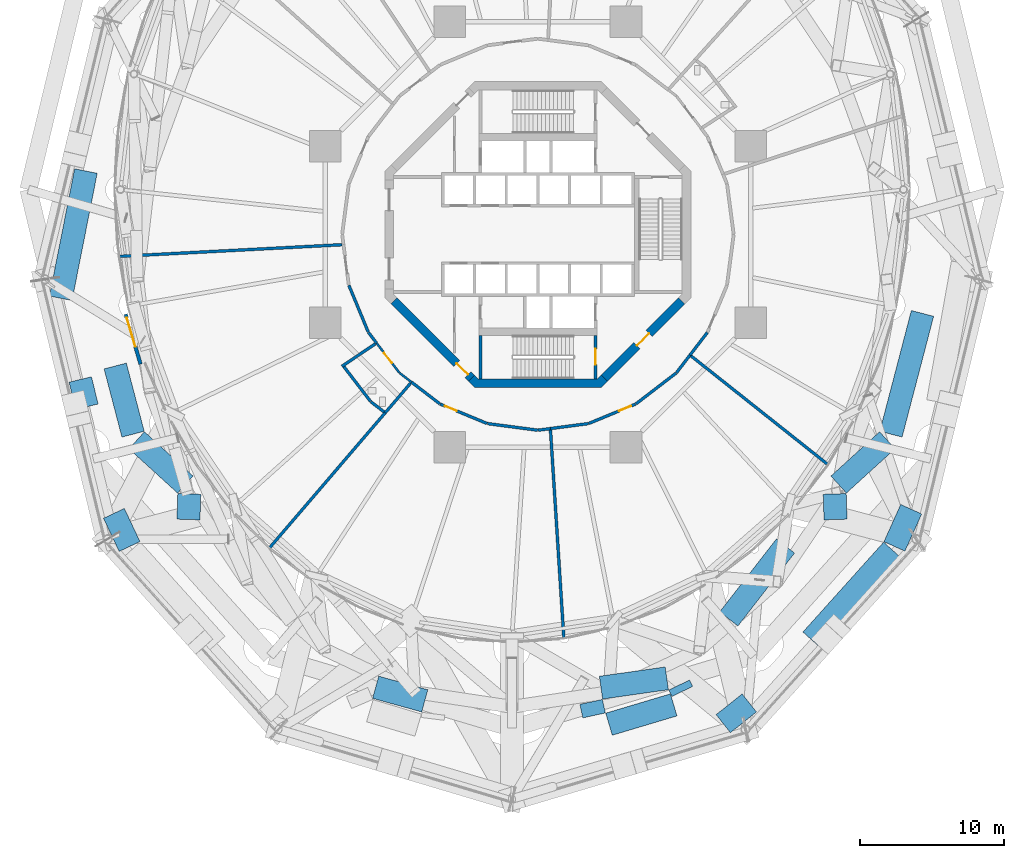
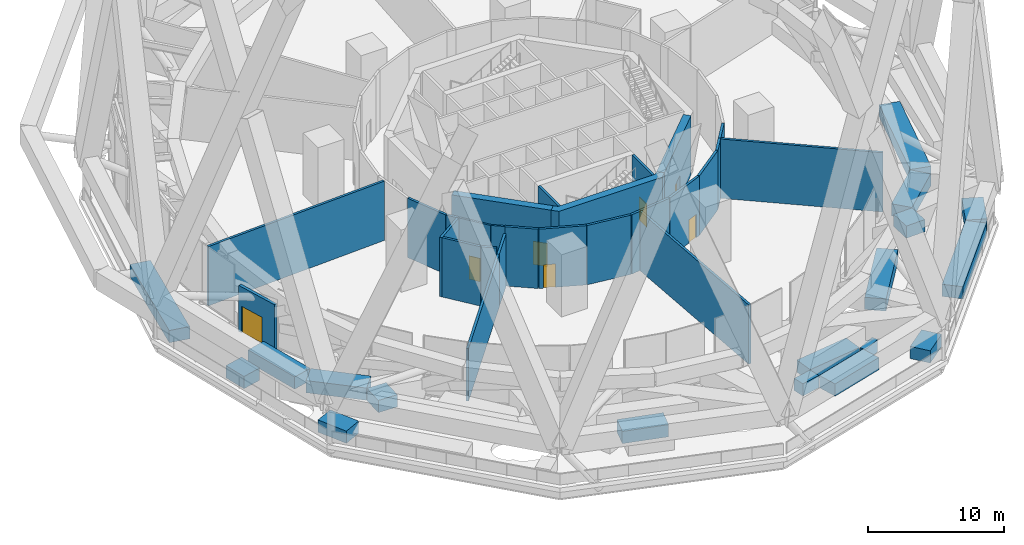
# One storey, part 53 of 65: 45 walls, 7 doors, 7 openings.
"""IFC4 building model written with IfcOpenShell, lengths in metres."""

from ifc_helpers import new_model, si_unit, direction, frame, frame_2d, origin, place, context, subcontext, project, spatial, polyline, rectangle, outline, extrude, material, layer, layer_set, type_object, element, fill, save


model = new_model("IFC4")

# Units and contexts
model_context = context("Model", 3, precision=1e-05, world=origin(), true_north=direction((0.0, 1.0)))
body_context = subcontext(model_context, "Body", "Model", "MODEL_VIEW")
ifc_project = project(units=[si_unit("LENGTHUNIT", "METRE"), si_unit("AREAUNIT", "SQUARE_METRE"), si_unit("VOLUMEUNIT", "CUBIC_METRE"), si_unit("PLANEANGLEUNIT", "RADIAN"), si_unit("MASSUNIT", "GRAM", prefix="KILO")], contexts=[model_context])

# Site, building, storey
site_placement = place(None, origin())
site = spatial("IfcSite", under=ifc_project, at=site_placement, CompositionType="ELEMENT")
building_placement = place(site_placement, origin())
building = spatial("IfcBuilding", under=site, at=building_placement, Name="Nagisa Residences", CompositionType="ELEMENT")
storey_placement = place(building_placement, frame((0.0, 0.0, 114.0)))
storey = spatial("IfcBuildingStorey", under=building, at=storey_placement, Name="L28", CompositionType="ELEMENT", Elevation=114.0)

# Wall, opening, door
ifc_material_1 = material(Name="Precast concrete C40/50", Category="concrete")
ifc_layer_1 = layer(ifc_material_1, 0.25)
ifc_layer_set_1 = layer_set([ifc_layer_1], Name="BALCONY DOOR WALL 250")
wall_type_1 = type_object("IfcWallType", Name="BALCONY DOOR WALL 250", PredefinedType="SOLIDWALL", material=ifc_layer_set_1)
wall_1_placement = place(storey_placement, frame((-27.6025390625, -9.0068359375, 0.0), z_axis=(0.0, 0.0, 1.0), x_axis=(-0.285808378069, 0.95828678955, 0.0)))
wall_1 = element("IfcWall", 1, at=wall_1_placement, inside=storey, type_object=wall_type_1, Name="wall:L28:bay26", PredefinedType="SOLIDWALL", context=body_context, shape_type="SweptSolid", body=[
    extrude(rectangle(XDim=3.62353515625, YDim=0.25, at=frame_2d((1.811767578125, 0.0))), origin(), (0.0, 0.0, 1.0), 4.139892578125),
])
opening_1_placement = place(wall_1_placement, frame((1.26171875, 0.0, 0.0)))
opening_1 = element("IfcOpeningElement", 2, at=opening_1_placement, cuts=wall_1, Name="Opening BD-L28-01", PredefinedType="OPENING", context=body_context, shape_type="SweptSolid", body=[
    extrude(rectangle(XDim=2.10009765625, YDim=2.39990234375, at=frame_2d((1.050048828125, 1.199951171875))), frame((0.0, 0.135009765625, 0.0), z_axis=(0.0, -1.0, 0.0), x_axis=(1.0, 0.0, 0.0)), (0.0, 0.0, 1.0), 0.27001953125),
])
ifc_material_2 = material(Name="Aluminium and clear glass", Category="aluminium")
door_type_1 = type_object("IfcDoorType", Name="BALCONY SLIDING DOOR 2100x2400", OperationType="SLIDING_TO_LEFT", PredefinedType="DOOR", material=ifc_material_2)
door_1_placement = place(opening_1_placement, origin())
door_1 = element("IfcDoor", 3, at=door_1_placement, inside=storey, type_object=door_type_1, Name="door:L28:bay26", OperationType="SLIDING_TO_LEFT", OverallHeight=2.39990234375, OverallWidth=2.10009765625, PredefinedType="DOOR", context=body_context, shape_type="SweptSolid", body=[
    extrude(rectangle(XDim=2.10009765625, YDim=2.39990234375, at=frame_2d((1.050048828125, 1.199951171875))), frame((0.0, 0.02490234375, 0.0), z_axis=(0.0, -1.0, 0.0), x_axis=(1.0, 0.0, 0.0)), (0.0, 0.0, 1.0), 0.050048828125),
])
fill(opening_1, door_1)

ifc_material_3 = material(Name="Concrete C60", Category="concrete")
ifc_layer_2 = layer(ifc_material_3, 0.60009765625)
ifc_layer_set_2 = layer_set([ifc_layer_2], Name="Core shear wall 600")
wall_type_2 = type_object("IfcWallType", Name="Core shear wall 600", PredefinedType="SHEAR", material=ifc_layer_set_2)
wall_2_placement = place(storey_placement, frame((-9.98828125, -4.613037109375, 0.0), z_axis=(0.0, 0.0, 1.0), x_axis=(0.707106781187, -0.707106781187, 0.0)))
wall_2 = element("IfcWall", 4, at=wall_2_placement, inside=storey, type_object=wall_type_2, Name="wall:L28:core:flat5", PredefinedType="SHEAR", context=body_context, shape_type="SweptSolid", body=[
    extrude(rectangle(XDim=7.601806640625, YDim=0.60009765625, at=frame_2d((3.80078125, 0.0))), origin(), (0.0, 0.0, 1.0), 5.340087890625),
])
opening_2_placement = place(wall_2_placement, frame((6.15087890625, 0.0, 0.0)))
opening_2 = element("IfcOpeningElement", 5, at=opening_2_placement, cuts=wall_2, Name="Opening L28-C20", PredefinedType="OPENING", context=body_context, shape_type="SweptSolid", body=[
    extrude(rectangle(XDim=1.10009765625, YDim=2.10009765625, at=frame_2d((0.550048828125, 1.050048828125))), frame((0.0, 0.31005859375, 0.0), z_axis=(0.0, -1.0, 0.0), x_axis=(1.0, 0.0, 0.0)), (0.0, 0.0, 1.0), 0.6201171875),
])
ifc_material_4 = material(Name="Steel fire door", Category="steel")
door_type_2 = type_object("IfcDoorType", Name="Fire door EI60 1100x2100 single swing", OperationType="NOTDEFINED", PredefinedType="DOOR", material=ifc_material_4)
door_2_placement = place(opening_2_placement, origin())
door_2 = element("IfcDoor", 6, at=door_2_placement, inside=storey, type_object=door_type_2, Name="Housekeeping lobby door L28", OperationType="SINGLE_SWING_RIGHT", OverallHeight=2.10009765625, OverallWidth=1.10009765625, PredefinedType="DOOR", context=body_context, shape_type="SweptSolid", body=[
    extrude(rectangle(XDim=1.10009765625, YDim=2.10009765625, at=frame_2d((0.550048828125, 1.050048828125))), frame((0.0, 0.02490234375, 0.0), z_axis=(0.0, -1.0, 0.0), x_axis=(1.0, 0.0, 0.0)), (0.0, 0.0, 1.0), 0.050048828125),
])
fill(opening_2, door_2)

wall_3_placement = place(storey_placement, frame((4.613037109375, -9.98828125, 0.0), z_axis=(0.0, 0.0, 1.0), x_axis=(0.707106781187, 0.707106781187, 0.0)))
wall_3 = element("IfcWall", 7, at=wall_3_placement, inside=storey, type_object=wall_type_2, Name="wall:L28:core:flat7", PredefinedType="SHEAR", context=body_context, shape_type="SweptSolid", body=[
    extrude(rectangle(XDim=7.601806640625, YDim=0.60009765625, at=frame_2d((3.80078125, 0.0))), origin(), (0.0, 0.0, 1.0), 5.340087890625),
])
opening_3_placement = place(wall_3_placement, frame((3.200927734375, 0.0, 0.0)))
opening_3 = element("IfcOpeningElement", 8, at=opening_3_placement, cuts=wall_3, Name="Opening L28-C16", PredefinedType="OPENING", context=body_context, shape_type="SweptSolid", body=[
    extrude(rectangle(XDim=1.199951171875, YDim=2.10009765625, at=frame_2d((0.60009765625, 1.050048828125))), frame((0.0, 0.31005859375, 0.0), z_axis=(0.0, -1.0, 0.0), x_axis=(1.0, 0.0, 0.0)), (0.0, 0.0, 1.0), 0.6201171875),
])
ifc_material_5 = material(Name="Steel fire door", Category="steel")
door_type_3 = type_object("IfcDoorType", Name="Fire door EI60 1200x2100 single swing", OperationType="NOTDEFINED", PredefinedType="DOOR", material=ifc_material_5)
door_3_placement = place(opening_3_placement, origin())
door_3 = element("IfcDoor", 9, at=door_3_placement, inside=storey, type_object=door_type_3, Name="Firefighting lobby 2 door L28", OperationType="SINGLE_SWING_RIGHT", OverallHeight=2.10009765625, OverallWidth=1.199951171875, PredefinedType="DOOR", context=body_context, shape_type="SweptSolid", body=[
    extrude(rectangle(XDim=1.199951171875, YDim=2.10009765625, at=frame_2d((0.60009765625, 1.050048828125))), frame((0.0, 0.02490234375, 0.0), z_axis=(0.0, -1.0, 0.0), x_axis=(1.0, 0.0, 0.0)), (0.0, 0.0, 1.0), 0.050048828125),
])
fill(opening_3, door_3)

# Walls
wall_4_placement = place(storey_placement, origin())
element("IfcWall", 10, at=wall_4_placement, inside=storey, type_object=wall_type_2, Name="wall:L28:core:flat6", PredefinedType="SHEAR", context=body_context, shape_type="SweptSolid", body=[
    extrude(outline(polyline([(-4.15234375, -10.024658203125), (4.15234375, -10.024658203125), (4.40087890625, -9.776123046875), (4.8251953125, -10.200439453125), (4.40087890625, -10.62451171875), (-4.40087890625, -10.62451171875), (-4.8251953125, -10.200439453125), (-4.40087890625, -9.776123046875), (-4.15234375, -10.024658203125)])), origin(), (0.0, 0.0, 1.0), 5.340087890625),
])
ifc_material_6 = material(Name="Precast concrete C30/37", Category="concrete")
ifc_layer_3 = layer(ifc_material_6, 1.60009765625)
ifc_layer_set_3 = layer_set([ifc_layer_3], Name="PLANTER")
wall_type_3 = type_object("IfcWallType", Name="PLANTER", PredefinedType="SOLIDWALL", material=ifc_layer_set_3)
wall_5_placement = place(storey_placement, frame((-33.147216796875, -4.43212890625, 0.0), z_axis=(0.0, 0.0, 1.0), x_axis=(0.194083848033, 0.980984943785, 0.0)))
element("IfcWall", 11, at=wall_5_placement, inside=storey, type_object=wall_type_3, Name="planter:L28:deck001", PredefinedType="SOLIDWALL", context=body_context, shape_type="SweptSolid", body=[
    extrude(rectangle(XDim=9.01171875, YDim=1.60009765625, at=frame_2d((4.505859375, 0.0))), origin(), (0.0, 0.0, 1.0), 1.10009765625),
])
wall_6_placement = place(storey_placement, frame((-31.33251953125, -11.968505859375, 0.0), z_axis=(0.0, 0.0, 1.0), x_axis=(-0.234064805055, 0.972220997014, 0.0)))
element("IfcWall", 12, at=wall_6_placement, inside=storey, type_object=wall_type_3, Name="planter:L28:deck002", PredefinedType="SOLIDWALL", context=body_context, shape_type="SweptSolid", body=[
    extrude(rectangle(XDim=1.948486328125, YDim=1.60009765625, at=frame_2d((0.97412109375, 0.0))), origin(), (0.0, 0.0, 1.0), 1.10009765625),
])
wall_7_placement = place(storey_placement, frame((-29.36279296875, -9.13720703125, 0.0), z_axis=(0.0, 0.0, 1.0), x_axis=(0.252622817758, -0.967564836044, 0.0)))
element("IfcWall", 13, at=wall_7_placement, inside=storey, type_object=wall_type_3, Name="planter:L28:deck003", PredefinedType="SOLIDWALL", context=body_context, shape_type="SweptSolid", body=[
    extrude(rectangle(XDim=4.89697265625, YDim=1.60009765625, at=frame_2d((2.448486328125, 0.0))), origin(), (0.0, 0.0, 1.0), 1.10009765625),
])
wall_8_placement = place(storey_placement, frame((-28.3662109375, -21.67919921875, 0.0), z_axis=(0.0, 0.0, 1.0), x_axis=(-0.426512189352, 0.904481814264, 0.0)))
element("IfcWall", 14, at=wall_8_placement, inside=storey, type_object=wall_type_3, Name="planter:L28:deck004", PredefinedType="SOLIDWALL", context=body_context, shape_type="SweptSolid", body=[
    extrude(rectangle(XDim=2.5478515625, YDim=1.60009765625, at=frame_2d((1.27392578125, 0.0))), origin(), (0.0, 0.0, 1.0), 1.10009765625),
])
wall_9_placement = place(storey_placement, frame((-27.87060546875, -14.297119140625, 0.0), z_axis=(0.0, 0.0, 1.0), x_axis=(0.739195155337, -0.67349129343, 0.0)))
element("IfcWall", 15, at=wall_9_placement, inside=storey, type_object=wall_type_3, Name="planter:L28:deck005", PredefinedType="SOLIDWALL", context=body_context, shape_type="SweptSolid", body=[
    extrude(rectangle(XDim=4.5703125, YDim=1.60009765625, at=frame_2d((2.28515625, 0.0))), origin(), (0.0, 0.0, 1.0), 1.10009765625),
])
wall_10_placement = place(storey_placement, frame((-24.21728515625, -18.02587890625, 0.0), z_axis=(0.0, 0.0, 1.0), x_axis=(-0.032258988147, -0.999479543404, 0.0)))
element("IfcWall", 16, at=wall_10_placement, inside=storey, type_object=wall_type_3, Name="planter:L28:deck006", PredefinedType="SOLIDWALL", context=body_context, shape_type="SweptSolid", body=[
    extrude(rectangle(XDim=1.778564453125, YDim=1.60009765625, at=frame_2d((0.88916015625, 0.0))), origin(), (0.0, 0.0, 1.0), 1.10009765625),
])
wall_11_placement = place(storey_placement, frame((13.26123046875, -26.70849609375, 0.0), z_axis=(0.0, 0.0, 1.0), x_axis=(0.61355867143, 0.789649135194, 0.0)))
element("IfcWall", 17, at=wall_11_placement, inside=storey, type_object=wall_type_3, Name="planter:L28:deck010", PredefinedType="SOLIDWALL", context=body_context, shape_type="SweptSolid", body=[
    extrude(rectangle(XDim=6.41796875, YDim=1.60009765625, at=frame_2d((3.208984375, 0.0))), origin(), (0.0, 0.0, 1.0), 1.10009765625),
])
wall_12_placement = place(storey_placement, frame((14.685302734375, -32.54443359375, 0.0), z_axis=(0.0, 0.0, 1.0), x_axis=(-0.782463069235, -0.622696993155, 0.0)))
element("IfcWall", 18, at=wall_12_placement, inside=storey, type_object=wall_type_3, Name="planter:L28:deck011", PredefinedType="SOLIDWALL", context=body_context, shape_type="SweptSolid", body=[
    extrude(rectangle(XDim=2.31201171875, YDim=1.60009765625, at=frame_2d((1.156005859375, 0.0))), origin(), (0.0, 0.0, 1.0), 1.10009765625),
])
wall_13_placement = place(storey_placement, frame((20.674560546875, -19.8037109375, 0.0), z_axis=(0.0, 0.0, 1.0), x_axis=(-0.032515399122, 0.999471234614, 0.0)))
element("IfcWall", 19, at=wall_13_placement, inside=storey, type_object=wall_type_3, Name="planter:L28:deck012", PredefinedType="SOLIDWALL", context=body_context, shape_type="SweptSolid", body=[
    extrude(rectangle(XDim=1.779541015625, YDim=1.60009765625, at=frame_2d((0.8896484375, 0.0))), origin(), (0.0, 0.0, 1.0), 1.10009765625),
])
wall_14_placement = place(storey_placement, frame((20.891845703125, -17.374267578125, 0.0), z_axis=(0.0, 0.0, 1.0), x_axis=(0.739352354984, 0.673318717383, 0.0)))
element("IfcWall", 20, at=wall_14_placement, inside=storey, type_object=wall_type_3, Name="planter:L28:deck013", PredefinedType="SOLIDWALL", context=body_context, shape_type="SweptSolid", body=[
    extrude(rectangle(XDim=4.56982421875, YDim=1.60009765625, at=frame_2d((2.284912109375, 0.0))), origin(), (0.0, 0.0, 1.0), 1.10009765625),
])
wall_15_placement = place(storey_placement, frame((24.525634765625, -13.875, 0.0), z_axis=(0.0, 0.0, 1.0), x_axis=(0.25265110585, 0.967557449826, 0.0)))
element("IfcWall", 21, at=wall_15_placement, inside=storey, type_object=wall_type_3, Name="planter:L28:deck014", PredefinedType="SOLIDWALL", context=body_context, shape_type="SweptSolid", body=[
    extrude(rectangle(XDim=8.671630859375, YDim=1.60009765625, at=frame_2d((4.3359375, 0.0))), origin(), (0.0, 0.0, 1.0), 1.10009765625),
])
wall_16_placement = place(storey_placement, frame((24.611083984375, -21.910888671875, 0.0), z_axis=(0.0, 0.0, 1.0), x_axis=(-0.66838736225, -0.743813373088, 0.0)))
element("IfcWall", 22, at=wall_16_placement, inside=storey, type_object=wall_type_3, Name="planter:L28:deck015", PredefinedType="SOLIDWALL", context=body_context, shape_type="SweptSolid", body=[
    extrude(rectangle(XDim=8.389892578125, YDim=1.60009765625, at=frame_2d((4.19482421875, 0.0))), origin(), (0.0, 0.0, 1.0), 1.10009765625),
])
wall_17_placement = place(storey_placement, frame((25.932373046875, -19.088134765625, 0.0), z_axis=(0.0, 0.0, 1.0), x_axis=(-0.411166692317, -0.911560174168, 0.0)))
element("IfcWall", 23, at=wall_17_placement, inside=storey, type_object=wall_type_3, Name="planter:L28:deck016", PredefinedType="SOLIDWALL", context=body_context, shape_type="SweptSolid", body=[
    extrude(rectangle(XDim=2.834716796875, YDim=1.60009765625, at=frame_2d((1.41748046875, 0.0))), origin(), (0.0, 0.0, 1.0), 1.10009765625),
])
wall_18_placement = place(storey_placement, frame((-11.2705078125, -31.455810546875, 0.0), z_axis=(0.0, 0.0, 1.0), x_axis=(0.963771506484, -0.266729232162, 0.0)))
element("IfcWall", 24, at=wall_18_placement, inside=storey, type_object=wall_type_3, Name="planter:L28:deck120", PredefinedType="SOLIDWALL", context=body_context, shape_type="SweptSolid", body=[
    extrude(rectangle(XDim=3.53857421875, YDim=1.60009765625, at=frame_2d((1.769287109375, 0.0))), origin(), (0.0, 0.0, 1.0), 1.10009765625),
])
wall_19_placement = place(storey_placement, frame((3.90478515625, -33.412109375, 0.0), z_axis=(0.0, 0.0, 1.0), x_axis=(-0.214890787801, 0.976638085126, 0.0)))
element("IfcWall", 25, at=wall_19_placement, inside=storey, type_object=wall_type_3, Name="planter:L28:deck123", PredefinedType="SOLIDWALL", context=body_context, shape_type="SweptSolid", body=[
    extrude(rectangle(XDim=0.96337890625, YDim=1.60009765625, at=frame_2d((0.481689453125, 0.0))), origin(), (0.0, 0.0, 1.0), 1.10009765625),
])
wall_20_placement = place(storey_placement, frame((4.3818359375, -31.485107421875, 0.0), z_axis=(0.0, 0.0, 1.0), x_axis=(0.99002335094, 0.140903387444, 0.0)))
element("IfcWall", 26, at=wall_20_placement, inside=storey, type_object=wall_type_3, Name="planter:L28:deck124", PredefinedType="SOLIDWALL", context=body_context, shape_type="SweptSolid", body=[
    extrude(rectangle(XDim=4.619384765625, YDim=1.60009765625, at=frame_2d((2.3095703125, 0.0))), origin(), (0.0, 0.0, 1.0), 1.10009765625),
])
wall_21_placement = place(storey_placement, frame((9.43359375, -32.680419921875, 0.0), z_axis=(0.0, 0.0, 1.0), x_axis=(-0.958314763404, -0.285714567779, 0.0)))
element("IfcWall", 27, at=wall_21_placement, inside=storey, type_object=wall_type_3, Name="planter:L28:deck125", PredefinedType="SOLIDWALL", context=body_context, shape_type="SweptSolid", body=[
    extrude(rectangle(XDim=4.691162109375, YDim=1.60009765625, at=frame_2d((2.345703125, 0.0))), origin(), (0.0, 0.0, 1.0), 1.10009765625),
])
wall_22_placement = place(storey_placement, frame((9.8173828125, -31.29541015625, 0.0), z_axis=(0.0, 0.0, 1.0), x_axis=(0.43301833784, -0.901385111422, 0.0)))
element("IfcWall", 28, at=wall_22_placement, inside=storey, type_object=wall_type_3, Name="planter:L28:deck126", PredefinedType="SOLIDWALL", context=body_context, shape_type="SweptSolid", body=[
    extrude(rectangle(XDim=0.497314453125, YDim=1.60009765625, at=frame_2d((0.24853515625, 0.0))), origin(), (0.0, 0.0, 1.0), 1.10009765625),
])
ifc_material_7 = material(Name="Gypsum board on steel studs", Category="steel")
ifc_layer_4 = layer(ifc_material_7, 0.199951171875)
ifc_layer_set_4 = layer_set([ifc_layer_4], Name="Plant room wall EI120 200")
wall_type_4 = type_object("IfcWallType", Name="Plant room wall EI120 200", PredefinedType="PARTITIONING", material=ifc_layer_set_4)
wall_23_placement = place(storey_placement, frame((-13.6201171875, -9.162841796875, 0.0), z_axis=(0.0, 0.0, 1.0), x_axis=(0.829713316312, 0.558189764089, 0.0)))
element("IfcWall", 29, at=wall_23_placement, inside=storey, type_object=wall_type_4, Name="wall:L28:am005", PredefinedType="PARTITIONING", context=body_context, shape_type="SweptSolid", body=[
    extrude(rectangle(XDim=2.805419921875, YDim=0.199951171875, at=frame_2d((1.40283203125, 0.0))), origin(), (0.0, 0.0, 1.0), 5.340087890625),
])
wall_24_placement = place(storey_placement, frame((-13.60693359375, -0.713134765625, 0.0), z_axis=(0.0, 0.0, 1.0), x_axis=(-0.99862965522, -0.05233365758, 0.0)))
element("IfcWall", 30, at=wall_24_placement, inside=storey, type_object=wall_type_4, Name="wall:L28:am006", PredefinedType="PARTITIONING", context=body_context, shape_type="SweptSolid", body=[
    extrude(rectangle(XDim=15.478759765625, YDim=0.199951171875, at=frame_2d((7.7392578125, 0.0))), origin(), (0.0, 0.0, 1.0), 5.340087890625),
])
wall_25_placement = place(storey_placement, frame((-11.78369140625, -6.785888671875, 0.0), z_axis=(0.0, 0.0, 1.0), x_axis=(-0.382723413813, 0.92386297064, 0.0)))
element("IfcWall", 31, at=wall_25_placement, inside=storey, type_object=wall_type_4, Name="wall:L28:am010", PredefinedType="PARTITIONING", context=body_context, shape_type="SweptSolid", body=[
    extrude(rectangle(XDim=3.52001953125, YDim=0.199951171875, at=frame_2d((1.760009765625, 0.0))), origin(), (0.0, 0.0, 1.0), 5.340087890625),
])
wall_26_placement = place(storey_placement, frame((-11.622802734375, -11.6015625, 0.0), z_axis=(0.0, 0.0, 1.0), x_axis=(-0.608791787862, 0.793330044201, 0.0)))
element("IfcWall", 32, at=wall_26_placement, inside=storey, type_object=wall_type_4, Name="wall:L28:am012", PredefinedType="PARTITIONING", context=body_context, shape_type="SweptSolid", body=[
    extrude(rectangle(XDim=3.044189453125, YDim=0.199951171875, at=frame_2d((1.52197265625, 0.0))), origin(), (0.0, 0.0, 1.0), 5.340087890625),
])
wall_27_placement = place(storey_placement, frame((-11.209228515625, -7.541015625, 0.0), z_axis=(0.0, 0.0, 1.0), x_axis=(-0.608721561765, 0.793383929912, 0.0)))
element("IfcWall", 33, at=wall_27_placement, inside=storey, type_object=wall_type_4, Name="wall:L28:am013", PredefinedType="PARTITIONING", context=body_context, shape_type="SweptSolid", body=[
    extrude(rectangle(XDim=0.9189453125, YDim=0.199951171875, at=frame_2d((0.45947265625, 0.0))), origin(), (0.0, 0.0, 1.0), 5.340087890625),
])
wall_28_placement = place(storey_placement, frame((-10.606689453125, -12.38623046875, 0.0), z_axis=(0.0, 0.0, 1.0), x_axis=(-0.650437966539, -0.75955937996, 0.0)))
element("IfcWall", 34, at=wall_28_placement, inside=storey, type_object=wall_type_4, Name="wall:L28:am014", PredefinedType="PARTITIONING", context=body_context, shape_type="SweptSolid", body=[
    extrude(rectangle(XDim=12.347900390625, YDim=0.199951171875, at=frame_2d((6.173828125, 0.0))), origin(), (0.0, 0.0, 1.0), 4.72802734375),
])
wall_29_placement = place(storey_placement, frame((-10.68603515625, -12.325439453125, 0.0), z_axis=(0.0, 0.0, 1.0), x_axis=(-0.793299821517, 0.608831169687, 0.0)))
element("IfcWall", 35, at=wall_29_placement, inside=storey, type_object=wall_type_4, Name="wall:L28:am015", PredefinedType="PARTITIONING", context=body_context, shape_type="SweptSolid", body=[
    extrude(rectangle(XDim=1.154052734375, YDim=0.199951171875, at=frame_2d((0.5771484375, 0.0))), origin(), (0.0, 0.0, 1.0), 5.340087890625),
])
wall_30_placement = place(storey_placement, frame((-8.84814453125, -10.33251953125, 0.0), z_axis=(0.0, 0.0, 1.0), x_axis=(-0.650412043265, -0.759581578223, 0.0)))
element("IfcWall", 36, at=wall_30_placement, inside=storey, type_object=wall_type_4, Name="wall:L28:am019", PredefinedType="PARTITIONING", context=body_context, shape_type="SweptSolid", body=[
    extrude(rectangle(XDim=2.703857421875, YDim=0.199951171875, at=frame_2d((1.35205078125, 0.0))), origin(), (0.0, 0.0, 1.0), 4.72802734375),
])
wall_31_placement = place(storey_placement, frame((-6.81201171875, -11.7685546875, 0.0), z_axis=(0.0, 0.0, 1.0), x_axis=(-0.793430741124, 0.608660545, 0.0)))
element("IfcWall", 37, at=wall_31_placement, inside=storey, type_object=wall_type_4, Name="wall:L28:am022", PredefinedType="PARTITIONING", context=body_context, shape_type="SweptSolid", body=[
    extrude(rectangle(XDim=2.484130859375, YDim=0.199951171875, at=frame_2d((1.2421875, 0.0))), origin(), (0.0, 0.0, 1.0), 5.340087890625),
])

# Wall, opening, door
wall_32_placement = place(storey_placement, frame((-3.533935546875, -13.130859375, 0.0), z_axis=(0.0, 0.0, 1.0), x_axis=(-0.92386297064, 0.382723413813, 0.0)))
wall_32 = element("IfcWall", 38, at=wall_32_placement, inside=storey, type_object=wall_type_4, Name="wall:L28:am024", PredefinedType="PARTITIONING", context=body_context, shape_type="SweptSolid", body=[
    extrude(rectangle(XDim=3.52001953125, YDim=0.199951171875, at=frame_2d((1.760009765625, 0.0))), origin(), (0.0, 0.0, 1.0), 5.340087890625),
])
opening_4_placement = place(wall_32_placement, frame((2.277587890625, 0.0, 0.0)))
opening_4 = element("IfcOpeningElement", 39, at=opening_4_placement, cuts=wall_32, Name="Opening L28-A09", PredefinedType="OPENING", context=body_context, shape_type="SweptSolid", body=[
    extrude(rectangle(XDim=0.89990234375, YDim=2.10009765625, at=frame_2d((0.449951171875, 1.050048828125))), frame((0.0, 0.10986328125, 0.0), z_axis=(0.0, -1.0, 0.0), x_axis=(1.0, 0.0, 0.0)), (0.0, 0.0, 1.0), 0.219970703125),
])
ifc_material_8 = material(Name="Steel fire door", Category="steel")
door_type_4 = type_object("IfcDoorType", Name="Fire door EI120 900x2100 single swing", OperationType="NOTDEFINED", PredefinedType="DOOR", material=ifc_material_8)
door_4_placement = place(opening_4_placement, origin())
door_4 = element("IfcDoor", 40, at=door_4_placement, inside=storey, type_object=door_type_4, Name="Chilled water pump room door", OperationType="SINGLE_SWING_LEFT", OverallHeight=2.10009765625, OverallWidth=0.89990234375, PredefinedType="DOOR", context=body_context, shape_type="SweptSolid", body=[
    extrude(rectangle(XDim=0.89990234375, YDim=2.10009765625, at=frame_2d((0.449951171875, 1.050048828125))), frame((0.0, 0.02490234375, 0.0), z_axis=(0.0, -1.0, 0.0), x_axis=(1.0, 0.0, 0.0)), (0.0, 0.0, 1.0), 0.050048828125),
])
fill(opening_4, door_4)

# Walls
wall_33_placement = place(storey_placement, frame((-0.01513671875, -13.597900390625, 0.0), z_axis=(0.0, 0.0, 1.0), x_axis=(-0.991452406768, 0.130468866457, 0.0)))
element("IfcWall", 41, at=wall_33_placement, inside=storey, type_object=wall_type_4, Name="wall:L28:am026", PredefinedType="PARTITIONING", context=body_context, shape_type="SweptSolid", body=[
    extrude(rectangle(XDim=3.519775390625, YDim=0.199951171875, at=frame_2d((1.759765625, 0.0))), origin(), (0.0, 0.0, 1.0), 5.340087890625),
])
wall_34_placement = place(storey_placement, frame((0.866455078125, -13.48583984375, 0.0), z_axis=(0.0, 0.0, 1.0), x_axis=(-0.991447519912, -0.130505997029, 0.0)))
element("IfcWall", 42, at=wall_34_placement, inside=storey, type_object=wall_type_4, Name="wall:L28:am030", PredefinedType="PARTITIONING", context=body_context, shape_type="SweptSolid", body=[
    extrude(rectangle(XDim=0.858642578125, YDim=0.199951171875, at=frame_2d((0.42919921875, 0.0))), origin(), (0.0, 0.0, 1.0), 5.340087890625),
])
wall_35_placement = place(storey_placement, frame((0.872802734375, -13.5859375, 0.0), z_axis=(0.0, 0.0, 1.0), x_axis=(0.064121608835, -0.997942092148, 0.0)))
element("IfcWall", 43, at=wall_35_placement, inside=storey, type_object=wall_type_4, Name="wall:L28:am031", PredefinedType="PARTITIONING", context=body_context, shape_type="SweptSolid", body=[
    extrude(rectangle(XDim=14.47216796875, YDim=0.199951171875, at=frame_2d((7.236083984375, 0.0))), origin(), (0.0, 0.0, 1.0), 5.340087890625),
])
wall_36_placement = place(storey_placement, frame((3.5048828125, -13.138671875, 0.0), z_axis=(0.0, 0.0, 1.0), x_axis=(-0.99145398328, -0.130456885743, 0.0)))
element("IfcWall", 44, at=wall_36_placement, inside=storey, type_object=wall_type_4, Name="wall:L28:am032", PredefinedType="PARTITIONING", context=body_context, shape_type="SweptSolid", body=[
    extrude(rectangle(XDim=2.6611328125, YDim=0.199951171875, at=frame_2d((1.33056640625, 0.0))), origin(), (0.0, 0.0, 1.0), 5.340087890625),
])

# Wall, opening, door
wall_37_placement = place(storey_placement, frame((6.785888671875, -11.78369140625, 0.0), z_axis=(0.0, 0.0, 1.0), x_axis=(-0.92386297064, -0.382723413813, 0.0)))
wall_37 = element("IfcWall", 45, at=wall_37_placement, inside=storey, type_object=wall_type_4, Name="wall:L28:am034", PredefinedType="PARTITIONING", context=body_context, shape_type="SweptSolid", body=[
    extrude(rectangle(XDim=3.52001953125, YDim=0.199951171875, at=frame_2d((1.760009765625, 0.0))), origin(), (0.0, 0.0, 1.0), 5.340087890625),
])
opening_5_placement = place(wall_37_placement, frame((0.34228515625, 0.0, 0.0)))
opening_5 = element("IfcOpeningElement", 46, at=opening_5_placement, cuts=wall_37, Name="Opening L28-A10", PredefinedType="OPENING", context=body_context, shape_type="SweptSolid", body=[
    extrude(rectangle(XDim=0.89990234375, YDim=2.10009765625, at=frame_2d((0.449951171875, 1.050048828125))), frame((0.0, 0.10986328125, 0.0), z_axis=(0.0, -1.0, 0.0), x_axis=(1.0, 0.0, 0.0)), (0.0, 0.0, 1.0), 0.219970703125),
])
door_5_placement = place(opening_5_placement, origin())
door_5 = element("IfcDoor", 47, at=door_5_placement, inside=storey, type_object=door_type_4, Name="Transformer room door", OperationType="SINGLE_SWING_RIGHT", OverallHeight=2.10009765625, OverallWidth=0.89990234375, PredefinedType="DOOR", context=body_context, shape_type="SweptSolid", body=[
    extrude(rectangle(XDim=0.89990234375, YDim=2.10009765625, at=frame_2d((0.449951171875, 1.050048828125))), frame((0.0, 0.02490234375, 0.0), z_axis=(0.0, -1.0, 0.0), x_axis=(1.0, 0.0, 0.0)), (0.0, 0.0, 1.0), 0.050048828125),
])
fill(opening_5, door_5)

# Walls
wall_38_placement = place(storey_placement, frame((9.604736328125, -9.6259765625, 0.0), z_axis=(0.0, 0.0, 1.0), x_axis=(-0.793402024283, -0.608697977542, 0.0)))
element("IfcWall", 48, at=wall_38_placement, inside=storey, type_object=wall_type_4, Name="wall:L28:am037", PredefinedType="PARTITIONING", context=body_context, shape_type="SweptSolid", body=[
    extrude(rectangle(XDim=3.52001953125, YDim=0.199951171875, at=frame_2d((1.760009765625, 0.0))), origin(), (0.0, 0.0, 1.0), 5.340087890625),
])
wall_39_placement = place(storey_placement, frame((10.564697265625, -8.38134765625, 0.0), z_axis=(0.0, 0.0, 1.0), x_axis=(-0.608753901718, -0.793359116128, 0.0)))
element("IfcWall", 49, at=wall_39_placement, inside=storey, type_object=wall_type_4, Name="wall:L28:am038", PredefinedType="PARTITIONING", context=body_context, shape_type="SweptSolid", body=[
    extrude(rectangle(XDim=1.5419921875, YDim=0.199951171875, at=frame_2d((0.77099609375, 0.0))), origin(), (0.0, 0.0, 1.0), 5.340087890625),
])
wall_40_placement = place(storey_placement, frame((10.64306640625, -8.443359375, 0.0), z_axis=(0.0, 0.0, 1.0), x_axis=(0.783408548954, -0.621507075926, 0.0)))
element("IfcWall", 50, at=wall_40_placement, inside=storey, type_object=wall_type_4, Name="wall:L28:am039", PredefinedType="PARTITIONING", context=body_context, shape_type="SweptSolid", body=[
    extrude(rectangle(XDim=12.09521484375, YDim=0.199951171875, at=frame_2d((6.047607421875, 0.0))), origin(), (0.0, 0.0, 1.0), 5.340087890625),
])
wall_41_placement = place(storey_placement, frame((11.7685546875, -6.81201171875, 0.0), z_axis=(0.0, 0.0, 1.0), x_axis=(-0.608654375099, -0.793435474171, 0.0)))
element("IfcWall", 51, at=wall_41_placement, inside=storey, type_object=wall_type_4, Name="wall:L28:am044", PredefinedType="PARTITIONING", context=body_context, shape_type="SweptSolid", body=[
    extrude(rectangle(XDim=1.977783203125, YDim=0.199951171875, at=frame_2d((0.98876953125, 0.0))), origin(), (0.0, 0.0, 1.0), 5.340087890625),
])

# Wall, opening, door
ifc_material_9 = material(Name="Gypsum board on steel studs", Category="steel")
ifc_layer_5 = layer(ifc_material_9, 0.14990234375)
ifc_layer_set_5 = layer_set([ifc_layer_5], Name="Room partition EI60 150")
wall_type_5 = type_object("IfcWallType", Name="Room partition EI60 150", PredefinedType="PARTITIONING", material=ifc_layer_set_5)
wall_42_placement = place(storey_placement, frame((-9.6240234375, -9.607177734375, 0.0), z_axis=(0.0, 0.0, 1.0), x_axis=(-0.608709012517, 0.793393558129, 0.0)))
wall_42 = element("IfcWall", 52, at=wall_42_placement, inside=storey, type_object=wall_type_5, Name="wall:L28:am000", PredefinedType="PARTITIONING", context=body_context, shape_type="SweptSolid", body=[
    extrude(rectangle(XDim=2.604248046875, YDim=0.14990234375, at=frame_2d((1.30224609375, 0.0))), origin(), (0.0, 0.0, 1.0), 5.340087890625),
])
opening_6_placement = place(wall_42_placement, frame((0.84619140625, 0.0, 0.0)))
opening_6 = element("IfcOpeningElement", 53, at=opening_6_placement, cuts=wall_42, Name="Opening L28-A07", PredefinedType="OPENING", context=body_context, shape_type="SweptSolid", body=[
    extrude(rectangle(XDim=0.89990234375, YDim=2.10009765625, at=frame_2d((0.449951171875, 1.050048828125))), frame((0.0, 0.0849609375, 0.0), z_axis=(0.0, -1.0, 0.0), x_axis=(1.0, 0.0, 0.0)), (0.0, 0.0, 1.0), 0.169921875),
])
ifc_material_10 = material(Name="Steel fire door", Category="steel")
door_type_5 = type_object("IfcDoorType", Name="Fire door EI30 900x2100 single swing", OperationType="NOTDEFINED", PredefinedType="DOOR", material=ifc_material_10)
door_6_placement = place(opening_6_placement, origin())
door_6 = element("IfcDoor", 54, at=door_6_placement, inside=storey, type_object=door_type_5, Name="Accessible refuge WC door", OperationType="SINGLE_SWING_LEFT", OverallHeight=2.10009765625, OverallWidth=0.89990234375, PredefinedType="DOOR", context=body_context, shape_type="SweptSolid", body=[
    extrude(rectangle(XDim=0.89990234375, YDim=2.10009765625, at=frame_2d((0.449951171875, 1.050048828125))), frame((0.0, 0.02490234375, 0.0), z_axis=(0.0, -1.0, 0.0), x_axis=(1.0, 0.0, 0.0)), (0.0, 0.0, 1.0), 0.050048828125),
])
fill(opening_6, door_6)

# Wall
wall_43_placement = place(storey_placement, frame((-8.782958984375, -10.256591796875, 0.0), z_axis=(0.0, 0.0, 1.0), x_axis=(-0.793296129213, 0.608835980684, 0.0)))
element("IfcWall", 55, at=wall_43_placement, inside=storey, type_object=wall_type_5, Name="wall:L28:am001", PredefinedType="PARTITIONING", context=body_context, shape_type="SweptSolid", body=[
    extrude(rectangle(XDim=1.0390625, YDim=0.14990234375, at=frame_2d((0.51953125, 0.0))), origin(), (0.0, 0.0, 1.0), 5.340087890625),
])

# Wall, opening, door
ifc_material_11 = material(Name="Concrete C60", Category="concrete")
ifc_layer_6 = layer(ifc_material_11, 0.199951171875)
ifc_layer_set_6 = layer_set([ifc_layer_6], Name="Stair enclosure wall 200")
wall_type_6 = type_object("IfcWallType", Name="Stair enclosure wall 200", PredefinedType="SOLIDWALL", material=ifc_layer_set_6)
wall_44_placement = place(storey_placement, frame((4.0, -10.024658203125, 0.0), z_axis=(0.0, 0.0, 1.0), x_axis=(0.0, 1.0, 0.0)))
wall_44 = element("IfcWall", 56, at=wall_44_placement, inside=storey, type_object=wall_type_6, Name="wall:L28:SS_e", PredefinedType="SOLIDWALL", context=body_context, shape_type="SweptSolid", body=[
    extrude(rectangle(XDim=3.0, YDim=0.199951171875, at=frame_2d((1.5, 0.0))), origin(), (0.0, 0.0, 1.0), 5.340087890625),
])
opening_7_placement = place(wall_44_placement, frame((0.974609375, 0.0, 0.0)))
opening_7 = element("IfcOpeningElement", 57, at=opening_7_placement, cuts=wall_44, Name="Opening L28-C11", PredefinedType="OPENING", context=body_context, shape_type="SweptSolid", body=[
    extrude(rectangle(XDim=1.10009765625, YDim=2.10009765625, at=frame_2d((0.550048828125, 1.050048828125))), frame((0.0, 0.10986328125, 0.0), z_axis=(0.0, -1.0, 0.0), x_axis=(1.0, 0.0, 0.0)), (0.0, 0.0, 1.0), 0.219970703125),
])
ifc_material_12 = material(Name="Steel fire door", Category="steel")
door_type_6 = type_object("IfcDoorType", Name="Fire door EI90 1100x2100 single swing", OperationType="NOTDEFINED", PredefinedType="DOOR", material=ifc_material_12)
door_7_placement = place(opening_7_placement, origin())
door_7 = element("IfcDoor", 58, at=door_7_placement, inside=storey, type_object=door_type_6, Name="Stair door ST-S L28", OperationType="SINGLE_SWING_RIGHT", OverallHeight=2.10009765625, OverallWidth=1.10009765625, PredefinedType="DOOR", context=body_context, shape_type="SweptSolid", body=[
    extrude(rectangle(XDim=1.10009765625, YDim=2.10009765625, at=frame_2d((0.550048828125, 1.050048828125))), frame((0.0, 0.02490234375, 0.0), z_axis=(0.0, -1.0, 0.0), x_axis=(1.0, 0.0, 0.0)), (0.0, 0.0, 1.0), 0.050048828125),
])
fill(opening_7, door_7)

# Wall
wall_45_placement = place(storey_placement, origin())
element("IfcWall", 59, at=wall_45_placement, inside=storey, type_object=wall_type_6, Name="wall:L28:SS_w", PredefinedType="SOLIDWALL", context=body_context, shape_type="SweptSolid", body=[
    extrude(outline(polyline([(-3.89990234375, -10.024658203125), (-4.10009765625, -10.024658203125), (-4.10009765625, -7.024658203125), (-3.89990234375, -7.024658203125), (-3.89990234375, -10.024658203125)])), origin(), (0.0, 0.0, 1.0), 5.340087890625),
])

save(model, "model.ifc")
